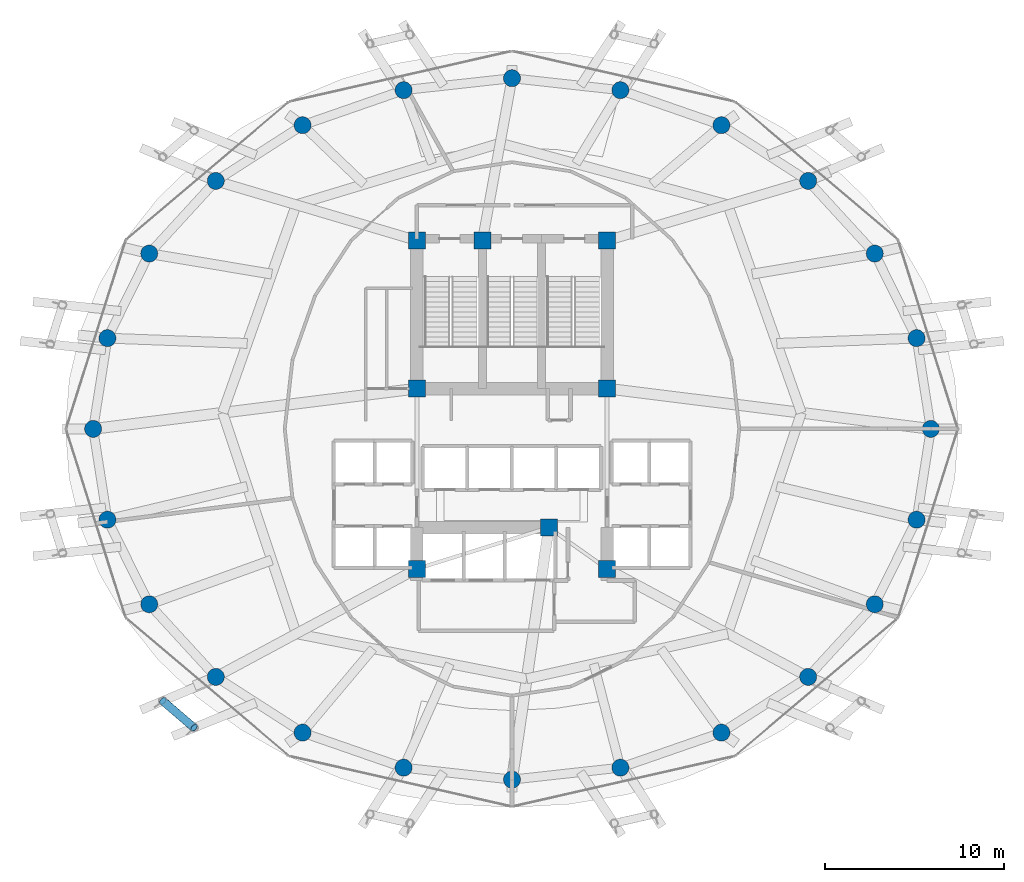
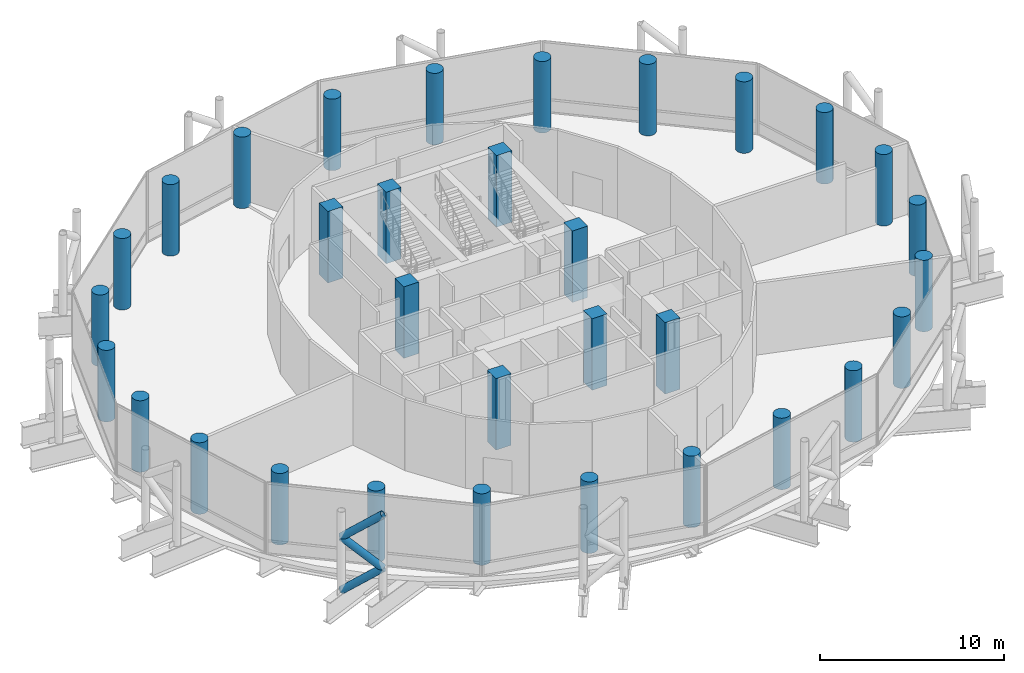
# One storey, part 1 of 29: 32 columns, 3 members.
"""IFC4 building model written with IfcOpenShell, lengths in metres."""

from ifc_helpers import new_model, si_unit, direction, frame, origin, origin_2d, place, context, subcontext, project, spatial, rectangle, circle, hollow_circle, extrude, material, material_profile, profile_set, type_object, element, save


model = new_model("IFC4")

# Units and contexts
model_context = context("Model", 3, precision=1e-05, world=origin(), true_north=direction((0.0, 1.0)))
body_context = subcontext(model_context, "Body", "Model", "MODEL_VIEW")
ifc_project = project(units=[si_unit("LENGTHUNIT", "METRE"), si_unit("AREAUNIT", "SQUARE_METRE"), si_unit("VOLUMEUNIT", "CUBIC_METRE"), si_unit("PLANEANGLEUNIT", "RADIAN"), si_unit("MASSUNIT", "GRAM", prefix="KILO")], contexts=[model_context])

# Site, building, storey
site_placement = place(None, origin())
site = spatial("IfcSite", under=ifc_project, at=site_placement, CompositionType="ELEMENT")
building_placement = place(site_placement, origin())
building = spatial("IfcBuilding", under=site, at=building_placement, Name="Nuhasar Tower", CompositionType="ELEMENT")
storey_placement = place(building_placement, frame((0.0, 0.0, 113.25)))
storey = spatial("IfcBuildingStorey", under=building, at=storey_placement, Name="L26", CompositionType="ELEMENT", Elevation=113.25)

# Columns
ifc_material_1 = material(Name="Concrete C65/80", Category="concrete")
ifc_material_profile_1 = material_profile(ifc_material_1, circle(Radius=0.47509765625, at=origin_2d()), Name="CFT950")
ifc_profile_set_1 = profile_set([ifc_material_profile_1], Name="Concrete C65/80")
column_type_1 = type_object("IfcColumnType", Name="COL-CFT-950", PredefinedType="COLUMN", material=ifc_profile_set_1)
for number, where, z_axis, x_axis, name in (
    (1, (62.35009765625, 26.800048828125, 0.0), (0.0, 0.0, 1.0), (1.0, 0.0, 0.0), "L26 Perimeter Composite Column TC-01"),
    (2, (61.553955078125, 31.860107421875, 0.0), (0.0, 0.0, 1.0), (1.0, 0.0, 0.0), "L26 Perimeter Composite Column TC-02"),
    (3, (59.221923828125, 36.574951171875, 0.0), (0.0, 0.0, 1.0), (1.0, 0.0, 0.0), "L26 Perimeter Composite Column TC-03"),
    (4, (55.510986328125, 40.6240234375, 0.0), (0.0, 0.0, 1.0), (1.0, 0.0, 0.0), "L26 Perimeter Composite Column TC-04"),
    (5, (50.675048828125, 43.73095703125, 0.0), (0.0, 0.0, 1.0), (1.0, 0.0, 0.0), "L26 Perimeter Composite Column TC-05"),
    (6, (45.04296875, 45.68408203125, 0.0), (0.0, 0.0, 1.0), (1.0, 0.0, 0.0), "L26 Perimeter Composite Column TC-06"),
    (7, (39.0, 46.35009765625, 0.0), (0.0, 0.0, 1.0), (1.0, 0.0, 0.0), "L26 Perimeter Composite Column TC-07"),
    (8, (32.95703125, 45.68408203125, 0.0), (0.0, 0.0, 1.0), (1.0, 0.0, 0.0), "L26 Perimeter Composite Column TC-08"),
    (9, (27.324951171875, 43.73095703125, 0.0), (0.0, 0.0, 1.0), (1.0, 0.0, 0.0), "L26 Perimeter Composite Column TC-09"),
    (10, (22.489013671875, 40.6240234375, 0.0), (0.0, 0.0, 1.0), (1.0, 0.0, 0.0), "L26 Perimeter Composite Column TC-10"),
    (11, (18.778076171875, 36.574951171875, 0.0), (0.0, 0.0, 1.0), (1.0, 0.0, 0.0), "L26 Perimeter Composite Column TC-11"),
    (12, (16.446044921875, 31.860107421875, 0.0), (0.0, 0.0, 1.0), (1.0, 0.0, 0.0), "L26 Perimeter Composite Column TC-12"),
    (13, (15.64990234375, 26.800048828125, 0.0), (0.0, 0.0, 1.0), (1.0, 0.0, 0.0), "L26 Perimeter Composite Column TC-13"),
    (14, (16.446044921875, 21.739990234375, 0.0), (0.0, 0.0, 1.0), (1.0, 0.0, 0.0), "L26 Perimeter Composite Column TC-14"),
    (15, (18.778076171875, 17.02490234375, 0.0), (0.0, 0.0, 1.0), (1.0, 0.0, 0.0), "L26 Perimeter Composite Column TC-15"),
    (16, (22.489013671875, 12.97607421875, 0.0), (0.0, 0.0, 1.0), (1.0, 0.0, 0.0), "L26 Perimeter Composite Column TC-16"),
    (17, (27.324951171875, 9.868896484375, 0.0), (0.0, 0.0, 1.0), (1.0, 0.0, 0.0), "L26 Perimeter Composite Column TC-17"),
    (18, (32.95703125, 7.916015625, 0.0), (0.0, 0.0, 1.0), (1.0, 0.0, 0.0), "L26 Perimeter Composite Column TC-18"),
    (19, (39.0, 7.25, 0.0), (0.0, 0.0, 1.0), (1.0, 0.0, 0.0), "L26 Perimeter Composite Column TC-19"),
    (20, (45.04296875, 7.916015625, 0.0), (0.0, 0.0, 1.0), (1.0, 0.0, 0.0), "L26 Perimeter Composite Column TC-20"),
    (21, (50.675048828125, 9.868896484375, 0.0), (0.0, 0.0, 1.0), (1.0, 0.0, 0.0), "L26 Perimeter Composite Column TC-21"),
    (22, (55.510986328125, 12.97607421875, 0.0), (0.0, 0.0, 1.0), (1.0, 0.0, 0.0), "L26 Perimeter Composite Column TC-22"),
    (23, (59.221923828125, 17.02490234375, 0.0), (0.0, 0.0, 1.0), (1.0, 0.0, 0.0), "L26 Perimeter Composite Column TC-23"),
    (24, (61.553955078125, 21.739990234375, 0.0), (0.0, 0.0, 1.0), (1.0, 0.0, 0.0), "L26 Perimeter Composite Column TC-24"),
):
    element("IfcColumn", number, at=place(storey_placement, frame(where, z_axis=z_axis, x_axis=x_axis)), inside=storey, type_object=column_type_1, Name=name, PredefinedType="COLUMN", context=body_context, shape_type="SweptSolid", body=[
        extrude(circle(Radius=0.47509765625, at=origin_2d()), origin(), (0.0, 0.0, 1.0), 4.75),
    ])
ifc_material_profile_2 = material_profile(ifc_material_1, rectangle(XDim=0.949951171875, YDim=0.949951171875, at=origin_2d()), Name="RC950X950")
ifc_profile_set_2 = profile_set([ifc_material_profile_2], Name="Concrete C65/80")
column_type_2 = type_object("IfcColumnType", Name="PIL-RC-950", PredefinedType="PILASTER", material=ifc_profile_set_2)
for number, where, z_axis, x_axis, name in (
    (25, (33.699951171875, 19.0, 0.0), (0.0, 0.0, 1.0), (1.0, 0.0, 0.0), "L26 Core Boundary Pilaster CC-01"),
    (26, (41.050048828125, 21.300048828125, 0.0), (0.0, 0.0, 1.0), (1.0, 0.0, 0.0), "L26 Core Boundary Pilaster CC-02"),
    (27, (44.300048828125, 19.0, 0.0), (0.0, 0.0, 1.0), (1.0, 0.0, 0.0), "L26 Core Boundary Pilaster CC-03"),
    (28, (44.300048828125, 29.050048828125, 0.0), (0.0, 0.0, 1.0), (1.0, 0.0, 0.0), "L26 Core Boundary Pilaster CC-04"),
    (29, (44.300048828125, 37.300048828125, 0.0), (0.0, 0.0, 1.0), (1.0, 0.0, 0.0), "L26 Core Boundary Pilaster CC-05"),
    (30, (37.35009765625, 37.300048828125, 0.0), (0.0, 0.0, 1.0), (1.0, 0.0, 0.0), "L26 Core Boundary Pilaster CC-06"),
    (31, (33.699951171875, 37.300048828125, 0.0), (0.0, 0.0, 1.0), (1.0, 0.0, 0.0), "L26 Core Boundary Pilaster CC-07"),
    (32, (33.699951171875, 29.050048828125, 0.0), (0.0, 0.0, 1.0), (1.0, 0.0, 0.0), "L26 Core Boundary Pilaster CC-08"),
):
    element("IfcColumn", number, at=place(storey_placement, frame(where, z_axis=z_axis, x_axis=x_axis)), inside=storey, type_object=column_type_2, Name=name, PredefinedType="PILASTER", context=body_context, shape_type="SweptSolid", body=[
        extrude(rectangle(XDim=0.949951171875, YDim=0.949951171875, at=origin_2d()), origin(), (0.0, 0.0, 1.0), 4.75),
    ])

# Members
ifc_material_2 = material(Name="Steel S460", Category="steel")
ifc_material_profile_3 = material_profile(ifc_material_2, hollow_circle(Radius=0.228515625, WallThickness=0.022216796875, at=origin_2d()), Name="HSS457X22.2")
ifc_profile_set_3 = profile_set([ifc_material_profile_3], Name="Steel S460")
member_type = type_object("IfcMemberType", Name="EXO-BRONZE-457", PredefinedType="BRACE", material=ifc_profile_set_3)
member_1_placement = place(storey_placement, frame((19.529052734375, 11.637939453125, -0.320068359375), z_axis=(0.601928591151, -0.514749827321, 0.610503551528), x_axis=(0.649925557156, 0.7599978751, 0.0)))
element("IfcMember", 33, at=member_1_placement, inside=storey, type_object=member_type, Name="L26 Bronze Diagrid Brace W1-08", PredefinedType="BRACE", context=body_context, shape_type="SweptSolid", body=[
    extrude(hollow_circle(Radius=0.228515625, WallThickness=0.022216796875, at=origin_2d()), origin(), (0.0, 0.0, 1.0), 2.904052734375),
])
member_2_placement = place(storey_placement, frame((21.277099609375, 10.14306640625, 1.452880859375), z_axis=(-0.601774130659, 0.514617737713, 0.610767123952), x_axis=(-0.649925557156, -0.7599978751, 0.0)))
element("IfcMember", 34, at=member_2_placement, inside=storey, type_object=member_type, Name="L26 Bronze Diagrid Brace W2-08", PredefinedType="BRACE", context=body_context, shape_type="SweptSolid", body=[
    extrude(hollow_circle(Radius=0.228515625, WallThickness=0.022216796875, at=origin_2d()), origin(), (0.0, 0.0, 1.0), 2.90478515625),
])
member_3_placement = place(storey_placement, frame((19.529052734375, 11.637939453125, 3.22705078125), z_axis=(0.601928591151, -0.514749827321, 0.610503551528), x_axis=(0.649925557156, 0.7599978751, 0.0)))
element("IfcMember", 35, at=member_3_placement, inside=storey, type_object=member_type, Name="L26 Bronze Diagrid Brace W3-08", PredefinedType="BRACE", context=body_context, shape_type="SweptSolid", body=[
    extrude(hollow_circle(Radius=0.228515625, WallThickness=0.022216796875, at=origin_2d()), origin(), (0.0, 0.0, 1.0), 2.904052734375),
])

save(model, "model.ifc")
